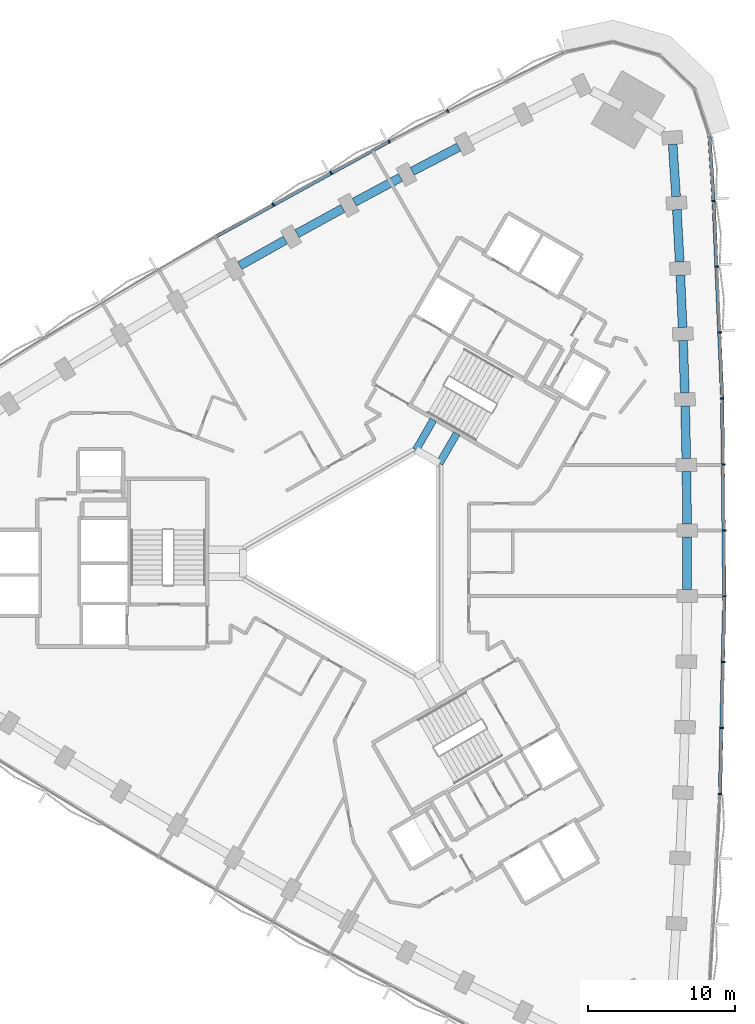
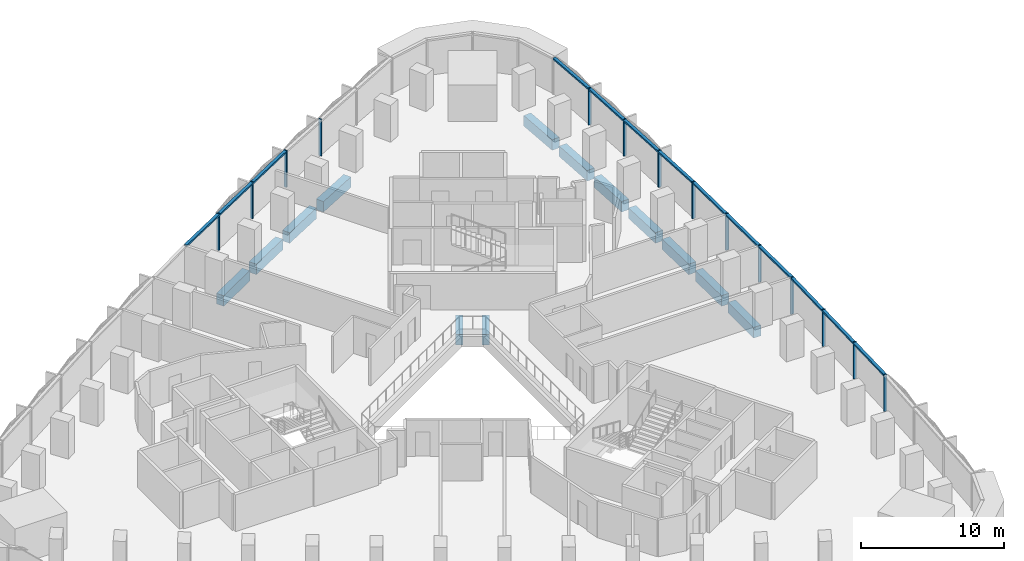
# One storey, part 5 of 15: 19 members, 13 beams, 2 elements without a shape of their own.
"""IFC4 building model written with IfcOpenShell, lengths in metres."""

from ifc_helpers import new_model, si_unit, direction, frame, origin, origin_2d, place, context, subcontext, project, spatial, rectangle, extrude, material, material_profile, profile_set, type_object, element, aggregate, save


model = new_model("IFC4")

# Units and contexts
model_context = context("Model", 3, precision=1e-05, world=origin(), true_north=direction((0.0, 1.0)))
body_context = subcontext(model_context, "Body", "Model", "MODEL_VIEW")
ifc_project = project(units=[si_unit("LENGTHUNIT", "METRE"), si_unit("AREAUNIT", "SQUARE_METRE"), si_unit("VOLUMEUNIT", "CUBIC_METRE"), si_unit("PLANEANGLEUNIT", "RADIAN"), si_unit("MASSUNIT", "GRAM", prefix="KILO")], contexts=[model_context])

# Site, building, storey
site_placement = place(None, origin())
site = spatial("IfcSite", under=ifc_project, at=site_placement, CompositionType="ELEMENT")
building_placement = place(site_placement, origin())
building = spatial("IfcBuilding", under=site, at=building_placement, Name="Tamra Quay Hotel Tower", CompositionType="ELEMENT")
storey_placement = place(building_placement, frame((0.0, 0.0, 63.800048828125)))
storey = spatial("IfcBuildingStorey", under=building, at=storey_placement, Name="L14", CompositionType="ELEMENT", Elevation=63.800048828125)

# Beams
ifc_material_1 = material(Name="Concrete M60", Category="concrete")
ifc_material_profile_1 = material_profile(ifc_material_1, rectangle(XDim=0.5, YDim=0.89990234375, at=origin_2d()), Name="ATRIUM TIE BEAM RC 500x900")
ifc_profile_set_1 = profile_set([ifc_material_profile_1], Name="Concrete M60")
beam_type_1 = type_object("IfcBeamType", Name="ATRIUM TIE BEAM RC 500x900", PredefinedType="BEAM", material=ifc_profile_set_1)
for number, where, z_axis, x_axis, name in (
    (1, (5.0, 6.812744140625, -0.925048828125), (0.500029618126, 0.866008303076, 0.0), (-0.866008303076, 0.500029618126, 0.0), "BM-TIE-0-L14"),
    (2, (3.39990234375, 7.736572265625, -0.925048828125), (0.500029618126, 0.866008303076, 0.0), (-0.866008303076, 0.500029618126, 0.0), "BM-TIE-5-L14"),
):
    element("IfcBeam", number, at=place(storey_placement, frame(where, z_axis=z_axis, x_axis=x_axis)), inside=storey, type_object=beam_type_1, Name=name, PredefinedType="BEAM", context=body_context, shape_type="SweptSolid", body=[
        extrude(rectangle(XDim=0.5, YDim=0.89990234375, at=origin_2d()), origin(), (0.0, 0.0, 1.0), 2.362060546875),
    ])

# Curtain wall, members
ifc_material_2 = material(Name="Aluminium 6063 anodised dark grey", Category="aluminium")
curtain_wall_type_1 = type_object("IfcCurtainWallType", Name="CW1 CURTAIN WALL", PredefinedType="NOTDEFINED", material=ifc_material_2)
curtain_wall_1_placement = place(storey_placement, origin())
curtain_wall_1 = element("IfcCurtainWall", 3, at=curtain_wall_1_placement, inside=storey, type_object=curtain_wall_type_1, Name="CW1 east face L14", PredefinedType="NOTDEFINED")
ifc_material_profile_2 = material_profile(ifc_material_2, rectangle(XDim=0.239990234375, YDim=0.10009765625, at=origin_2d()), Name="MULLION 100X240")
ifc_profile_set_2 = profile_set([ifc_material_profile_2], Name="Aluminium 6063 anodised dark grey")
member_type_1 = type_object("IfcMemberType", Name="MULLION CW1 Z1", PredefinedType="MULLION", material=ifc_profile_set_2)
member_1_placement = place(storey_placement, frame((24.137939453125, -15.738525390625, 0.0), z_axis=(0.0, 0.0, 1.0), x_axis=(0.999282269294, -0.037880684725, 0.0)))
member_1 = element("IfcMember", 4, at=member_1_placement, type_object=member_type_1, Name="CW1 mullion L14.E.4", PredefinedType="MULLION", context=body_context, shape_type="SweptSolid", body=[
    extrude(rectangle(XDim=0.239990234375, YDim=0.10009765625, at=origin_2d()), origin(), (0.0, 0.0, 1.0), 3.125),
])
member_2_placement = place(storey_placement, frame((24.283935546875, -11.24365234375, 0.0), z_axis=(0.0, 0.0, 1.0), x_axis=(0.999633634744, -0.027066515987, 0.0)))
member_2 = element("IfcMember", 5, at=member_2_placement, type_object=member_type_1, Name="CW1 mullion L14.E.5", PredefinedType="MULLION", context=body_context, shape_type="SweptSolid", body=[
    extrude(rectangle(XDim=0.239990234375, YDim=0.10009765625, at=origin_2d()), origin(), (0.0, 0.0, 1.0), 3.125),
])
member_3_placement = place(storey_placement, frame((24.38134765625, -6.74560546875, 0.0), z_axis=(0.0, 0.0, 1.0), x_axis=(0.99986801088, -0.01624687107, 0.0)))
member_3 = element("IfcMember", 6, at=member_3_placement, type_object=member_type_1, Name="CW1 mullion L14.E.6", PredefinedType="MULLION", context=body_context, shape_type="SweptSolid", body=[
    extrude(rectangle(XDim=0.239990234375, YDim=0.10009765625, at=origin_2d()), origin(), (0.0, 0.0, 1.0), 3.125),
])
member_4_placement = place(storey_placement, frame((24.43017578125, -2.248779296875, 0.0), z_axis=(0.0, 0.0, 1.0), x_axis=(0.999985322571, -0.005417992405, 0.0)))
member_4 = element("IfcMember", 7, at=member_4_placement, type_object=member_type_1, Name="CW1 mullion L14.E.7", PredefinedType="MULLION", context=body_context, shape_type="SweptSolid", body=[
    extrude(rectangle(XDim=0.239990234375, YDim=0.10009765625, at=origin_2d()), origin(), (0.0, 0.0, 1.0), 3.125),
])
member_5_placement = place(storey_placement, frame((24.43017578125, 2.248779296875, 0.0), z_axis=(0.0, 0.0, 1.0), x_axis=(0.999985322571, 0.005417992405, 0.0)))
member_5 = element("IfcMember", 8, at=member_5_placement, type_object=member_type_1, Name="CW1 mullion L14.E.8", PredefinedType="MULLION", context=body_context, shape_type="SweptSolid", body=[
    extrude(rectangle(XDim=0.239990234375, YDim=0.10009765625, at=origin_2d()), origin(), (0.0, 0.0, 1.0), 3.125),
])
member_6_placement = place(storey_placement, frame((24.38134765625, 6.74560546875, 0.0), z_axis=(0.0, 0.0, 1.0), x_axis=(0.99986801088, 0.01624687107, 0.0)))
member_6 = element("IfcMember", 9, at=member_6_placement, type_object=member_type_1, Name="CW1 mullion L14.E.9", PredefinedType="MULLION", context=body_context, shape_type="SweptSolid", body=[
    extrude(rectangle(XDim=0.239990234375, YDim=0.10009765625, at=origin_2d()), origin(), (0.0, 0.0, 1.0), 3.125),
])
member_7_placement = place(storey_placement, frame((24.283935546875, 11.24365234375, 0.0), z_axis=(0.0, 0.0, 1.0), x_axis=(0.999633634744, 0.027066515987, 0.0)))
member_7 = element("IfcMember", 10, at=member_7_placement, type_object=member_type_1, Name="CW1 mullion L14.E.10", PredefinedType="MULLION", context=body_context, shape_type="SweptSolid", body=[
    extrude(rectangle(XDim=0.239990234375, YDim=0.10009765625, at=origin_2d()), origin(), (0.0, 0.0, 1.0), 3.125),
])
member_8_placement = place(storey_placement, frame((24.137939453125, 15.738525390625, 0.0), z_axis=(0.0, 0.0, 1.0), x_axis=(0.999282269294, 0.037880684725, 0.0)))
member_8 = element("IfcMember", 11, at=member_8_placement, type_object=member_type_1, Name="CW1 mullion L14.E.11", PredefinedType="MULLION", context=body_context, shape_type="SweptSolid", body=[
    extrude(rectangle(XDim=0.239990234375, YDim=0.10009765625, at=origin_2d()), origin(), (0.0, 0.0, 1.0), 3.125),
])
member_9_placement = place(storey_placement, frame((23.943115234375, 20.2314453125, 0.0), z_axis=(0.0, 0.0, 1.0), x_axis=(0.998814694093, 0.048674499108, 0.0)))
member_9 = element("IfcMember", 12, at=member_9_placement, type_object=member_type_1, Name="CW1 mullion L14.E.12", PredefinedType="MULLION", context=body_context, shape_type="SweptSolid", body=[
    extrude(rectangle(XDim=0.239990234375, YDim=0.10009765625, at=origin_2d()), origin(), (0.0, 0.0, 1.0), 3.125),
])
member_10_placement = place(storey_placement, frame((23.699951171875, 24.723876953125, 0.0), z_axis=(0.0, 0.0, 1.0), x_axis=(0.998231971154, 0.05943847042, 0.0)))
member_10 = element("IfcMember", 13, at=member_10_placement, type_object=member_type_1, Name="CW1 mullion L14.E.13", PredefinedType="MULLION", context=body_context, shape_type="SweptSolid", body=[
    extrude(rectangle(XDim=0.239990234375, YDim=0.10009765625, at=origin_2d()), origin(), (0.0, 0.0, 1.0), 3.125),
])

curtain_wall_type_2 = type_object("IfcCurtainWallType", Name="CW2 CURTAIN WALL", PredefinedType="NOTDEFINED", material=ifc_material_2)
curtain_wall_2_placement = place(storey_placement, origin())
curtain_wall_2 = element("IfcCurtainWall", 14, at=curtain_wall_2_placement, inside=storey, type_object=curtain_wall_type_2, Name="CW2 north-west face L14", PredefinedType="NOTDEFINED")
ifc_material_profile_3 = material_profile(ifc_material_2, rectangle(XDim=0.239990234375, YDim=0.10009765625, at=origin_2d()), Name="MULLION 100X240")
ifc_profile_set_3 = profile_set([ifc_material_profile_3], Name="Aluminium 6063 anodised dark grey")
member_type_2 = type_object("IfcMemberType", Name="MULLION CW2 Z1", PredefinedType="MULLION", material=ifc_profile_set_3)
member_11_placement = place(storey_placement, frame((5.54931640625, 30.851318359375, 0.0), z_axis=(0.0, 0.0, 1.0), x_axis=(-0.457253994303, 0.889336148312, 0.0)))
member_11 = element("IfcMember", 15, at=member_11_placement, type_object=member_type_2, Name="CW2 mullion L14.NW.3", PredefinedType="MULLION", context=body_context, shape_type="SweptSolid", body=[
    extrude(rectangle(XDim=0.239990234375, YDim=0.10009765625, at=origin_2d()), origin(), (0.0, 0.0, 1.0), 3.125),
])
member_12_placement = place(storey_placement, frame((1.56103515625, 28.773193359375, 0.0), z_axis=(0.0, 0.0, 1.0), x_axis=(-0.466835499362, 0.884344173122, 0.0)))
member_12 = element("IfcMember", 16, at=member_12_placement, type_object=member_type_2, Name="CW2 mullion L14.NW.4", PredefinedType="MULLION", context=body_context, shape_type="SweptSolid", body=[
    extrude(rectangle(XDim=0.239990234375, YDim=0.10009765625, at=origin_2d()), origin(), (0.0, 0.0, 1.0), 3.125),
])
member_13_placement = place(storey_placement, frame((-2.40478515625, 26.65234375, 0.0), z_axis=(0.0, 0.0, 1.0), x_axis=(-0.476376526936, 0.87924138016, 0.0)))
member_13 = element("IfcMember", 17, at=member_13_placement, type_object=member_type_2, Name="CW2 mullion L14.NW.5", PredefinedType="MULLION", context=body_context, shape_type="SweptSolid", body=[
    extrude(rectangle(XDim=0.239990234375, YDim=0.10009765625, at=origin_2d()), origin(), (0.0, 0.0, 1.0), 3.125),
])
member_14_placement = place(storey_placement, frame((-6.3486328125, 24.48779296875, 0.0), z_axis=(0.0, 0.0, 1.0), x_axis=(-0.485863802361, 0.874034533388, 0.0)))
member_14 = element("IfcMember", 18, at=member_14_placement, type_object=member_type_2, Name="CW2 mullion L14.NW.6", PredefinedType="MULLION", context=body_context, shape_type="SweptSolid", body=[
    extrude(rectangle(XDim=0.239990234375, YDim=0.10009765625, at=origin_2d()), origin(), (0.0, 0.0, 1.0), 3.125),
])

# Beams
ifc_material_profile_4 = material_profile(ifc_material_1, rectangle(XDim=0.60009765625, YDim=0.89990234375, at=origin_2d()), Name="SPANDREL BEAM RC 600x900")
ifc_profile_set_4 = profile_set([ifc_material_profile_4], Name="Concrete M60")
beam_type_2 = type_object("IfcBeamType", Name="SPANDREL BEAM RC 600x900", PredefinedType="SPANDREL", material=ifc_profile_set_4)
beam_1_placement = place(storey_placement, frame((21.894287109375, -1.785400390625, -0.925048828125), z_axis=(0.0, 1.0, 0.0), x_axis=(-1.0, 0.0, 0.0)))
element("IfcBeam", 19, at=beam_1_placement, inside=storey, type_object=beam_type_2, Name="BM-SP1-006-L14", PredefinedType="SPANDREL", context=body_context, shape_type="SweptSolid", body=[
    extrude(rectangle(XDim=0.60009765625, YDim=0.89990234375, at=origin_2d()), origin(), (0.0, 0.0, 1.0), 3.57080078125),
])
beam_2_placement = place(storey_placement, frame((21.889404296875, 2.685302734375, -0.925048828125), z_axis=(-0.010803527021, 0.999941640199, 0.0), x_axis=(-0.999941640199, -0.010803527021, 0.0)))
element("IfcBeam", 20, at=beam_2_placement, inside=storey, type_object=beam_type_2, Name="BM-SP1-007-L14", PredefinedType="SPANDREL", context=body_context, shape_type="SweptSolid", body=[
    extrude(rectangle(XDim=0.60009765625, YDim=0.89990234375, at=origin_2d()), origin(), (0.0, 0.0, 1.0), 3.570556640625),
])
beam_3_placement = place(storey_placement, frame((21.836181640625, 7.155517578125, -0.925048828125), z_axis=(-0.021679013576, 0.999764982569, 0.0), x_axis=(-0.999764982569, -0.021679013576, 0.0)))
element("IfcBeam", 21, at=beam_3_placement, inside=storey, type_object=beam_type_2, Name="BM-SP1-008-L14", PredefinedType="SPANDREL", context=body_context, shape_type="SweptSolid", body=[
    extrude(rectangle(XDim=0.60009765625, YDim=0.89990234375, at=origin_2d()), origin(), (0.0, 0.0, 1.0), 3.56982421875),
])
for number, where, z_axis, x_axis, name in (
    (22, (21.734619140625, 11.624267578125, -0.925048828125), (-0.032547568535, 0.999470187541, 0.0), (-0.999470187541, -0.032547568535, 0.0), "BM-SP1-009-L14"),
    (23, (21.58447265625, 16.09228515625, -0.925048828125), (-0.043282922957, 0.99906285517, 0.0), (-0.99906285517, -0.043282922957, 0.0), "BM-SP1-010-L14"),
):
    element("IfcBeam", number, at=place(storey_placement, frame(where, z_axis=z_axis, x_axis=x_axis)), inside=storey, type_object=beam_type_2, Name=name, PredefinedType="SPANDREL", context=body_context, shape_type="SweptSolid", body=[
        extrude(rectangle(XDim=0.60009765625, YDim=0.89990234375, at=origin_2d()), origin(), (0.0, 0.0, 1.0), 3.570556640625),
    ])
beam_4_placement = place(storey_placement, frame((21.385986328125, 20.558349609375, -0.925048828125), z_axis=(-0.054026860576, 0.998539482613, 0.0), x_axis=(-0.998539482613, -0.054026860576, 0.0)))
element("IfcBeam", 24, at=beam_4_placement, inside=storey, type_object=beam_type_2, Name="BM-SP1-011-L14", PredefinedType="SPANDREL", context=body_context, shape_type="SweptSolid", body=[
    extrude(rectangle(XDim=0.60009765625, YDim=0.89990234375, at=origin_2d()), origin(), (0.0, 0.0, 1.0), 3.56982421875),
])
beam_5_placement = place(storey_placement, frame((21.139404296875, 25.021484375, -0.925048828125), z_axis=(-0.064749077985, 0.99790157676, 0.0), x_axis=(-0.99790157676, -0.064749077985, 0.0)))
element("IfcBeam", 25, at=beam_5_placement, inside=storey, type_object=beam_type_2, Name="BM-SP1-012-L14", PredefinedType="SPANDREL", context=body_context, shape_type="SweptSolid", body=[
    extrude(rectangle(XDim=0.60009765625, YDim=0.89990234375, at=origin_2d()), origin(), (0.0, 0.0, 1.0), 3.57080078125),
])
beam_6_placement = place(storey_placement, frame((6.310546875, 28.388427734375, -0.925048828125), z_axis=(-0.886863886749, -0.462030785101, 0.0), x_axis=(0.462030785101, -0.886863886749, 0.0)))
element("IfcBeam", 26, at=beam_6_placement, inside=storey, type_object=beam_type_2, Name="BM-SP1-017-L14", PredefinedType="SPANDREL", context=body_context, shape_type="SweptSolid", body=[
    extrude(rectangle(XDim=0.60009765625, YDim=0.89990234375, at=origin_2d()), origin(), (0.0, 0.0, 1.0), 3.570556640625),
])
beam_7_placement = place(storey_placement, frame((2.34814453125, 26.318603515625, -0.925048828125), z_axis=(-0.881809110934, -0.471606501094, 0.0), x_axis=(0.471606501094, -0.881809110934, 0.0)))
element("IfcBeam", 27, at=beam_7_placement, inside=storey, type_object=beam_type_2, Name="BM-SP1-018-L14", PredefinedType="SPANDREL", context=body_context, shape_type="SweptSolid", body=[
    extrude(rectangle(XDim=0.60009765625, YDim=0.89990234375, at=origin_2d()), origin(), (0.0, 0.0, 1.0), 3.5703125),
])
beam_8_placement = place(storey_placement, frame((-1.591796875, 24.2060546875, -0.925048828125), z_axis=(-0.876617015828, -0.481188744216, 0.0), x_axis=(0.481188744216, -0.876617015828, 0.0)))
element("IfcBeam", 28, at=beam_8_placement, inside=storey, type_object=beam_type_2, Name="BM-SP1-019-L14", PredefinedType="SPANDREL", context=body_context, shape_type="SweptSolid", body=[
    extrude(rectangle(XDim=0.60009765625, YDim=0.89990234375, at=origin_2d()), origin(), (0.0, 0.0, 1.0), 3.56982421875),
])
beam_9_placement = place(storey_placement, frame((-5.5078125, 22.051025390625, -0.925048828125), z_axis=(-0.871431243693, -0.49051767299, 0.0), x_axis=(0.49051767299, -0.871431243693, 0.0)))
element("IfcBeam", 29, at=beam_9_placement, inside=storey, type_object=beam_type_2, Name="BM-SP1-020-L14", PredefinedType="SPANDREL", context=body_context, shape_type="SweptSolid", body=[
    extrude(rectangle(XDim=0.60009765625, YDim=0.89990234375, at=origin_2d()), origin(), (0.0, 0.0, 1.0), 3.570556640625),
])

# Member
ifc_material_profile_5 = material_profile(ifc_material_2, rectangle(XDim=0.239990234375, YDim=0.139892578125, at=origin_2d()), Name="TRANSOM 240X140")
ifc_profile_set_5 = profile_set([ifc_material_profile_5], Name="Aluminium 6063 anodised dark grey")
member_type_3 = type_object("IfcMemberType", Name="TRANSOM CW1 Z1", PredefinedType="USERDEFINED", material=ifc_profile_set_5)
member_15_placement = place(storey_placement, frame((24.139404296875, -15.6884765625, 3.054931640625), z_axis=(0.02165596486, 0.999765482094, 0.0), x_axis=(-0.999765482094, 0.02165596486, 0.0)))
member_15 = element("IfcMember", 30, at=member_15_placement, type_object=member_type_3, Name="CW1 transom L14.E.4", ObjectType="TRANSOM", PredefinedType="USERDEFINED", context=body_context, shape_type="SweptSolid", body=[
    extrude(rectangle(XDim=0.239990234375, YDim=0.139892578125, at=origin_2d()), origin(), (0.0, 0.0, 1.0), 13.39306640625),
])

member_16_placement = place(storey_placement, frame((24.43017578125, -2.19873046875, 3.054931640625), z_axis=(-0.010846139849, 0.999941178895, 0.0), x_axis=(-0.999941178895, -0.010846139849, 0.0)))
member_16 = element("IfcMember", 31, at=member_16_placement, type_object=member_type_3, Name="CW1 transom L14.E.7", ObjectType="TRANSOM", PredefinedType="USERDEFINED", context=body_context, shape_type="SweptSolid", body=[
    extrude(rectangle(XDim=0.239990234375, YDim=0.139892578125, at=origin_2d()), origin(), (0.0, 0.0, 1.0), 13.39306640625),
])

member_17_placement = place(storey_placement, frame((24.2822265625, 11.29345703125, 3.054931640625), z_axis=(-0.043275844727, 0.999063161799, 0.0), x_axis=(-0.999063161799, -0.043275844727, 0.0)))
member_17 = element("IfcMember", 32, at=member_17_placement, type_object=member_type_3, Name="CW1 transom L14.E.10", ObjectType="TRANSOM", PredefinedType="USERDEFINED", context=body_context, shape_type="SweptSolid", body=[
    extrude(rectangle(XDim=0.239990234375, YDim=0.139892578125, at=origin_2d()), origin(), (0.0, 0.0, 1.0), 13.392822265625),
])

member_18_placement = place(storey_placement, frame((23.69677734375, 24.773681640625, 3.054931640625), z_axis=(-0.064805058394, 0.997897942881, 0.0), x_axis=(-0.997897942881, -0.064805058394, 0.0)))
member_18 = element("IfcMember", 33, at=member_18_placement, type_object=member_type_3, Name="CW1 transom L14.E.13", ObjectType="TRANSOM", PredefinedType="USERDEFINED", context=body_context, shape_type="SweptSolid", body=[
    extrude(rectangle(XDim=0.239990234375, YDim=0.139892578125, at=origin_2d()), origin(), (0.0, 0.0, 1.0), 4.396484375),
])

aggregate(curtain_wall_1, [member_1, member_15, member_2, member_3, member_4, member_16, member_5, member_6, member_7, member_17, member_8, member_9, member_10, member_18])

ifc_material_profile_6 = material_profile(ifc_material_2, rectangle(XDim=0.239990234375, YDim=0.139892578125, at=origin_2d()), Name="TRANSOM 240X140")
ifc_profile_set_6 = profile_set([ifc_material_profile_6], Name="Aluminium 6063 anodised dark grey")
member_type_4 = type_object("IfcMemberType", Name="TRANSOM CW2 Z1", PredefinedType="USERDEFINED", material=ifc_profile_set_6)
member_19_placement = place(storey_placement, frame((1.516845703125, 28.749755859375, 3.054931640625), z_axis=(-0.876646998642, -0.481134118279, 0.0), x_axis=(0.481134118279, -0.876646998642, 0.0)))
member_19 = element("IfcMember", 34, at=member_19_placement, type_object=member_type_4, Name="CW2 transom L14.NW.4", ObjectType="TRANSOM", PredefinedType="USERDEFINED", context=body_context, shape_type="SweptSolid", body=[
    extrude(rectangle(XDim=0.239990234375, YDim=0.139892578125, at=origin_2d()), origin(), (0.0, 0.0, 1.0), 13.39306640625),
])

aggregate(curtain_wall_2, [member_11, member_12, member_19, member_13, member_14])

save(model, "model.ifc")
